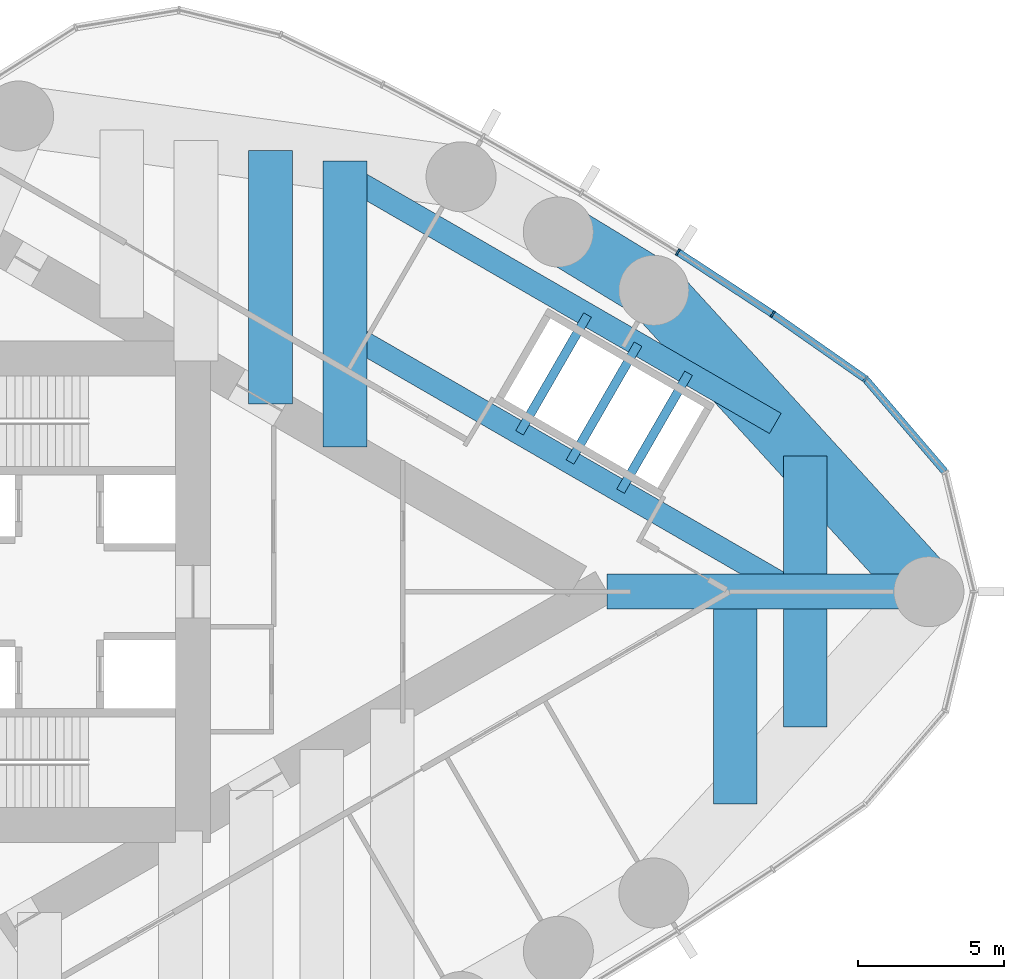
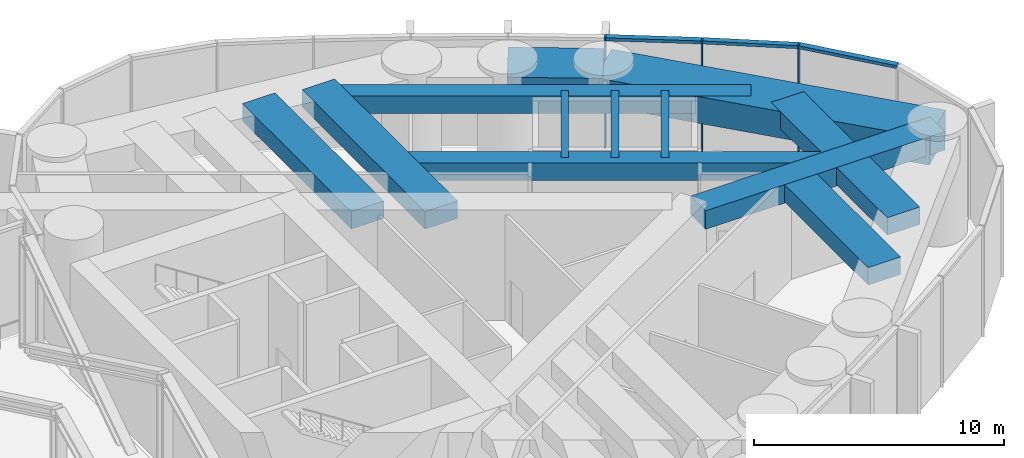
# One storey, part 10 of 21: 13 beams, 6 members, 1 element without a shape of its own.
"""IFC4 building model written with IfcOpenShell, lengths in metres."""

from ifc_helpers import new_model, si_unit, direction, frame, origin, origin_2d, place, context, subcontext, project, spatial, rectangle, hollow_rectangle, i_section, extrude, material, material_profile, profile_set, type_object, element, aggregate, save


model = new_model("IFC4")

# Units and contexts
model_context = context("Model", 3, precision=1e-05, world=origin(), true_north=direction((0.0, 1.0)))
body_context = subcontext(model_context, "Body", "Model", "MODEL_VIEW")
ifc_project = project(units=[si_unit("LENGTHUNIT", "METRE"), si_unit("AREAUNIT", "SQUARE_METRE"), si_unit("VOLUMEUNIT", "CUBIC_METRE"), si_unit("PLANEANGLEUNIT", "RADIAN"), si_unit("MASSUNIT", "GRAM", prefix="KILO")], contexts=[model_context])

# Site, building, storey
site_placement = place(None, origin())
site = spatial("IfcSite", under=ifc_project, at=site_placement, CompositionType="ELEMENT")
building_placement = place(site_placement, origin())
building = spatial("IfcBuilding", under=site, at=building_placement, Name="Lancet Gate Hotel", CompositionType="ELEMENT")
storey_placement = place(building_placement, frame((0.0, 0.0, 251.89990234375)))
storey = spatial("IfcBuildingStorey", under=building, at=storey_placement, Name="L67", CompositionType="ELEMENT", Elevation=251.89990234375)

# Curtain wall, members
ifc_material_1 = material(Name="Aluminium curtain wall", Category="aluminium")
curtain_wall_type = type_object("IfcCurtainWallType", Name="Sky deck full-height glazing", PredefinedType="USERDEFINED", material=ifc_material_1)
curtain_wall_placement = place(storey_placement, origin())
curtain_wall = element("IfcCurtainWall", 1, at=curtain_wall_placement, inside=storey, type_object=curtain_wall_type, Name="T2 L67 curtain wall 1", ObjectType="UNITISED CURTAIN WALL", PredefinedType="USERDEFINED")
ifc_material_2 = material(Name="Aluminium mullion", Category="aluminium")
ifc_material_profile_1 = material_profile(ifc_material_2, rectangle(XDim=0.06494140625, YDim=0.25, at=origin_2d()), Name="MULLION 65x250")
ifc_profile_set_1 = profile_set([ifc_material_profile_1], Name="Aluminium mullion")
member_type_1 = type_object("IfcMemberType", Name="Aluminium mullion 65x250", PredefinedType="MULLION", material=ifc_profile_set_1)
member_1_placement = place(storey_placement, frame((60.367431640625, 7.291259765625, 0.0), z_axis=(0.0, 0.0, 1.0), x_axis=(-0.737323173512, 0.675540182226, 0.0)))
member_1 = element("IfcMember", 2, at=member_1_placement, type_object=member_type_1, Name="T2 L67 curtain wall 1 mullion 16", PredefinedType="MULLION", context=body_context, shape_type="SweptSolid", body=[
    extrude(rectangle(XDim=0.06494140625, YDim=0.25, at=origin_2d()), origin(), (0.0, 0.0, 1.0), 5.400146484375),
])
member_2_placement = place(storey_placement, frame((57.185791015625, 9.518310546875, 0.0), z_axis=(0.0, 0.0, 1.0), x_axis=(-0.828154697184, 0.560499596371, 0.0)))
member_2 = element("IfcMember", 3, at=member_2_placement, type_object=member_type_1, Name="T2 L67 curtain wall 1 mullion 17", PredefinedType="MULLION", context=body_context, shape_type="SweptSolid", body=[
    extrude(rectangle(XDim=0.06494140625, YDim=0.25, at=origin_2d()), origin(), (0.0, 0.0, 1.0), 5.400146484375),
])
member_3_placement = place(storey_placement, frame((53.935791015625, 11.644287109375, 0.0), z_axis=(0.0, 0.0, 1.0), x_axis=(-0.845339753513, 0.534229071777, 0.0)))
member_3 = element("IfcMember", 4, at=member_3_placement, type_object=member_type_1, Name="T2 L67 curtain wall 1 mullion 18", PredefinedType="MULLION", context=body_context, shape_type="SweptSolid", body=[
    extrude(rectangle(XDim=0.06494140625, YDim=0.25, at=origin_2d()), origin(), (0.0, 0.0, 1.0), 5.400146484375),
])
ifc_material_3 = material(Name="Aluminium transom", Category="aluminium")
ifc_material_profile_2 = material_profile(ifc_material_3, rectangle(XDim=0.25, YDim=0.14990234375, at=origin_2d()), Name="TRANSOM 250x150")
ifc_profile_set_2 = profile_set([ifc_material_profile_2], Name="Aluminium transom")
member_type_2 = type_object("IfcMemberType", Name="Aluminium transom 250x150", PredefinedType="USERDEFINED", material=ifc_profile_set_2)
member_4_placement = place(storey_placement, frame((63.08544921875, 4.118408203125, 5.3251953125), z_axis=(-0.650592500186, 0.759427019997, 0.0), x_axis=(-0.759427019997, -0.650592500186, 0.0)))
member_4 = element("IfcMember", 5, at=member_4_placement, type_object=member_type_2, Name="T2 L67 curtain wall 1 transom 15", ObjectType="TRANSOM", PredefinedType="USERDEFINED", context=body_context, shape_type="SweptSolid", body=[
    extrude(rectangle(XDim=0.25, YDim=0.14990234375, at=origin_2d()), origin(), (0.0, 0.0, 1.0), 4.1455078125),
])
member_5_placement = place(storey_placement, frame((60.3408203125, 7.31005859375, 5.3251953125), z_axis=(-0.819255948852, 0.573428016642, 0.0), x_axis=(-0.573428016642, -0.819255948852, 0.0)))
member_5 = element("IfcMember", 6, at=member_5_placement, type_object=member_type_2, Name="T2 L67 curtain wall 1 transom 16", ObjectType="TRANSOM", PredefinedType="USERDEFINED", context=body_context, shape_type="SweptSolid", body=[
    extrude(rectangle(XDim=0.25, YDim=0.14990234375, at=origin_2d()), origin(), (0.0, 0.0, 1.0), 3.818603515625),
])
member_6_placement = place(storey_placement, frame((57.158447265625, 9.5361328125, 5.3251953125), z_axis=(-0.836858089593, 0.547419891749, 0.0), x_axis=(-0.547419891749, -0.836858089593, 0.0)))
member_6 = element("IfcMember", 7, at=member_6_placement, type_object=member_type_2, Name="T2 L67 curtain wall 1 transom 17", ObjectType="TRANSOM", PredefinedType="USERDEFINED", context=body_context, shape_type="SweptSolid", body=[
    extrude(rectangle(XDim=0.25, YDim=0.14990234375, at=origin_2d()), origin(), (0.0, 0.0, 1.0), 3.818603515625),
])
aggregate(curtain_wall, [member_1, member_2, member_3, member_4, member_5, member_6])

# Beams
ifc_material_4 = material(Name="Concrete C50/60", Category="concrete")
ifc_material_profile_3 = material_profile(ifc_material_4, rectangle(XDim=2.10009765625, YDim=1.300048828125, at=origin_2d()), Name="RC 2100x1300")
ifc_profile_set_3 = profile_set([ifc_material_profile_3], Name="Concrete C50/60")
beam_type_1 = type_object("IfcBeamType", Name="Edge beam RC 2100x1300", PredefinedType="SPANDREL", material=ifc_profile_set_3)
beam_1_placement = place(storey_placement, frame((62.54150390625, 0.0, 4.5), z_axis=(-0.674209372947, 0.738540263919, 0.0), x_axis=(-0.738540263919, -0.674209372947, 0.0)))
element("IfcBeam", 8, at=beam_1_placement, inside=storey, type_object=beam_type_1, Name="T2 edge beam EB1 L67", PredefinedType="SPANDREL", context=body_context, shape_type="SweptSolid", body=[
    extrude(rectangle(XDim=2.10009765625, YDim=1.300048828125, at=origin_2d()), origin(), (0.0, 0.0, 1.0), 13.992431640625),
])
beam_2_placement = place(storey_placement, frame((53.107666015625, 10.333984375, 4.5), z_axis=(-0.853604257265, 0.520922040212, 0.0), x_axis=(-0.520922040212, -0.853604257265, 0.0)))
element("IfcBeam", 9, at=beam_2_placement, inside=storey, type_object=beam_type_1, Name="T2 edge beam EB1 L67", PredefinedType="SPANDREL", context=body_context, shape_type="SweptSolid", body=[
    extrude(rectangle(XDim=2.10009765625, YDim=1.300048828125, at=origin_2d()), origin(), (0.0, 0.0, 1.0), 3.835205078125),
])
ifc_material_5 = material(Name="Concrete C50/60", Category="concrete")
ifc_material_profile_4 = material_profile(ifc_material_5, rectangle(XDim=1.5, YDim=0.85009765625, at=origin_2d()), Name="RC 1500x850")
ifc_profile_set_4 = profile_set([ifc_material_profile_4], Name="Concrete C50/60")
beam_type_2 = type_object("IfcBeamType", Name="Floor beam RC 1500x850", PredefinedType="BEAM", material=ifc_profile_set_4)
beam_3_placement = place(storey_placement, frame((39.9658203125, 6.429443359375, 4.72509765625), z_axis=(0.0, 1.0, 0.0), x_axis=(-1.0, 0.0, 0.0)))
element("IfcBeam", 10, at=beam_3_placement, inside=storey, type_object=beam_type_2, Name="T2 floor beam F06N L67", PredefinedType="BEAM", context=body_context, shape_type="SweptSolid", body=[
    extrude(rectangle(XDim=1.5, YDim=0.85009765625, at=origin_2d()), origin(), (0.0, 0.0, 1.0), 8.694091796875),
])
beam_4_placement = place(storey_placement, frame((42.51904296875, 4.95556640625, 4.72509765625), z_axis=(0.0, 1.0, 0.0), x_axis=(-1.0, 0.0, 0.0)))
element("IfcBeam", 11, at=beam_4_placement, inside=storey, type_object=beam_type_2, Name="T2 floor beam F08N L67", PredefinedType="BEAM", context=body_context, shape_type="SweptSolid", body=[
    extrude(rectangle(XDim=1.5, YDim=0.85009765625, at=origin_2d()), origin(), (0.0, 0.0, 1.0), 9.817138671875),
])
beam_5_placement = place(storey_placement, frame((55.90234375, -7.272705078125, 4.72509765625), z_axis=(0.0, 1.0, 0.0), x_axis=(-1.0, 0.0, 0.0)))
element("IfcBeam", 12, at=beam_5_placement, inside=storey, type_object=beam_type_2, Name="T2 floor beam F10S L67", PredefinedType="BEAM", context=body_context, shape_type="SweptSolid", body=[
    extrude(rectangle(XDim=1.5, YDim=0.85009765625, at=origin_2d()), origin(), (0.0, 0.0, 1.0), 6.672607421875),
])
for number, where, z_axis, x_axis, name in (
    (13, (58.30224609375, -4.643798828125, 4.72509765625), (0.0, 1.0, 0.0), (-1.0, 0.0, 0.0), "T2 floor beam F12S L67"),
    (14, (58.30224609375, 0.60009765625, 4.72509765625), (0.0, 1.0, 0.0), (-1.0, 0.0, 0.0), "T2 floor beam F13N L67"),
):
    element("IfcBeam", number, at=place(storey_placement, frame(where, z_axis=z_axis, x_axis=x_axis)), inside=storey, type_object=beam_type_2, Name=name, PredefinedType="BEAM", context=body_context, shape_type="SweptSolid", body=[
        extrude(rectangle(XDim=1.5, YDim=0.85009765625, at=origin_2d()), origin(), (0.0, 0.0, 1.0), 4.043701171875),
    ])
ifc_material_6 = material(Name="Steel S355", Category="steel")
ifc_material_profile_5 = material_profile(ifc_material_6, i_section(OverallWidth=0.3046875, OverallDepth=0.6123046875, WebThickness=0.01171875, FlangeThickness=0.019775390625, FilletRadius=0.0166015625, at=origin_2d()), Name="UKB 610x305x149")
ifc_profile_set_5 = profile_set([ifc_material_profile_5], Name="Steel S355")
beam_type_3 = type_object("IfcBeamType", Name="Lift lifting beam UKB 610x305x149", PredefinedType="BEAM", material=ifc_profile_set_5)
for number, where, z_axis, x_axis, name in (
    (15, (48.503662109375, 5.446044921875, 4.843994140625), (0.499909672293, 0.86607754823, 0.0), (-0.86607754823, 0.499909672293, 0.0), "T2 lifting beam HL1"),
    (16, (50.235595703125, 4.446044921875, 4.843994140625), (0.499909672293, 0.86607754823, 0.0), (-0.86607754823, 0.499909672293, 0.0), "T2 lifting beam HL2"),
):
    element("IfcBeam", number, at=place(storey_placement, frame(where, z_axis=z_axis, x_axis=x_axis)), inside=storey, type_object=beam_type_3, Name=name, PredefinedType="BEAM", context=body_context, shape_type="SweptSolid", body=[
        extrude(i_section(OverallWidth=0.3046875, OverallDepth=0.6123046875, WebThickness=0.01171875, FlangeThickness=0.019775390625, FilletRadius=0.0166015625, at=origin_2d()), origin(), (0.0, 0.0, 1.0), 4.665771484375),
    ])
beam_6_placement = place(storey_placement, frame((51.967529296875, 3.446044921875, 4.843994140625), z_axis=(0.499948918964, 0.866054893426, 0.0), x_axis=(-0.866054893426, 0.499948918964, 0.0)))
element("IfcBeam", 17, at=beam_6_placement, inside=storey, type_object=beam_type_3, Name="T2 lifting beam HL3", PredefinedType="BEAM", context=body_context, shape_type="SweptSolid", body=[
    extrude(i_section(OverallWidth=0.3046875, OverallDepth=0.6123046875, WebThickness=0.01171875, FlangeThickness=0.019775390625, FilletRadius=0.0166015625, at=origin_2d()), origin(), (0.0, 0.0, 1.0), 4.666015625),
])
ifc_material_7 = material(Name="Concrete C50/60", Category="concrete")
ifc_material_profile_6 = material_profile(ifc_material_7, rectangle(XDim=1.199951171875, YDim=0.89990234375, at=origin_2d()), Name="RC 1200x900")
ifc_profile_set_6 = profile_set([ifc_material_profile_6], Name="Concrete C50/60")
beam_type_4 = type_object("IfcBeamType", Name="Radial floor beam RC 1200x900", PredefinedType="BEAM", material=ifc_profile_set_6)
beam_7_placement = place(storey_placement, frame((62.54150390625, 0.0, 4.7001953125), z_axis=(-1.0, 0.0, 0.0), x_axis=(0.0, -1.0, 0.0)))
element("IfcBeam", 18, at=beam_7_placement, inside=storey, type_object=beam_type_4, Name="T2 radial beam CA L67", PredefinedType="BEAM", context=body_context, shape_type="SweptSolid", body=[
    extrude(rectangle(XDim=1.199951171875, YDim=0.89990234375, at=origin_2d()), origin(), (0.0, 0.0, 1.0), 11.039306640625),
])
ifc_material_8 = material(Name="Steel S460QL", Category="steel")
ifc_material_profile_7 = material_profile(ifc_material_8, hollow_rectangle(XDim=0.800048828125, YDim=0.85009765625, WallThickness=0.080078125, at=origin_2d()), Name="BOX 850x800x80")
ifc_profile_set_7 = profile_set([ifc_material_profile_7], Name="Steel S460QL")
beam_type_5 = type_object("IfcBeamType", Name="Trimmer beam BOX 850x800x80", PredefinedType="BEAM", material=ifc_profile_set_7)
beam_8_placement = place(storey_placement, frame((42.51904296875, 14.289794921875, 4.72509765625), z_axis=(0.865991109766, -0.500059394279, 0.0), x_axis=(0.500059394279, 0.865991109766, 0.0)))
element("IfcBeam", 19, at=beam_8_placement, inside=storey, type_object=beam_type_5, Name="T2 trimmer beam TR01N L67", PredefinedType="BEAM", context=body_context, shape_type="SweptSolid", body=[
    extrude(hollow_rectangle(XDim=0.800048828125, YDim=0.85009765625, WallThickness=0.080078125, at=origin_2d()), origin(), (0.0, 0.0, 1.0), 17.0390625),
])
beam_9_placement = place(storey_placement, frame((42.51904296875, 8.90185546875, 4.72509765625), z_axis=(0.865994419471, -0.500053662566, 0.0), x_axis=(0.500053662566, 0.865994419471, 0.0)))
element("IfcBeam", 20, at=beam_9_placement, inside=storey, type_object=beam_type_5, Name="T2 trimmer beam TR02N L67", PredefinedType="BEAM", context=body_context, shape_type="SweptSolid", body=[
    extrude(hollow_rectangle(XDim=0.800048828125, YDim=0.85009765625, WallThickness=0.080078125, at=origin_2d()), origin(), (0.0, 0.0, 1.0), 17.8017578125),
])

save(model, "model.ifc")
